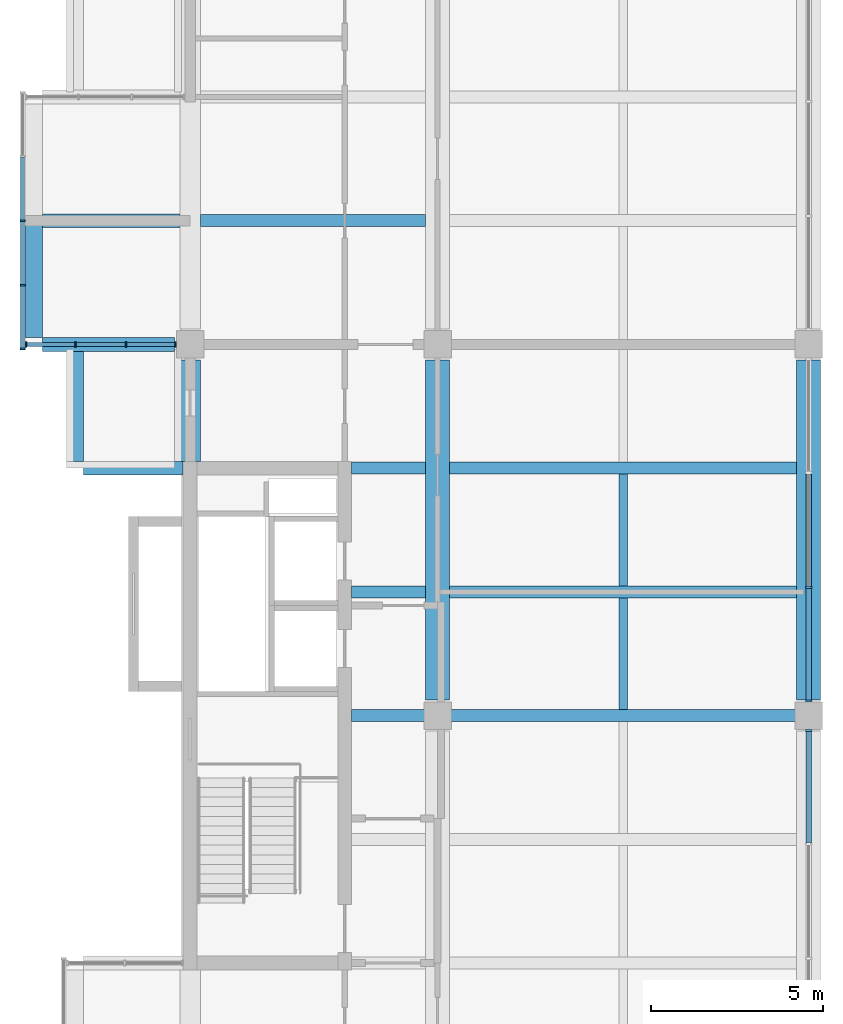
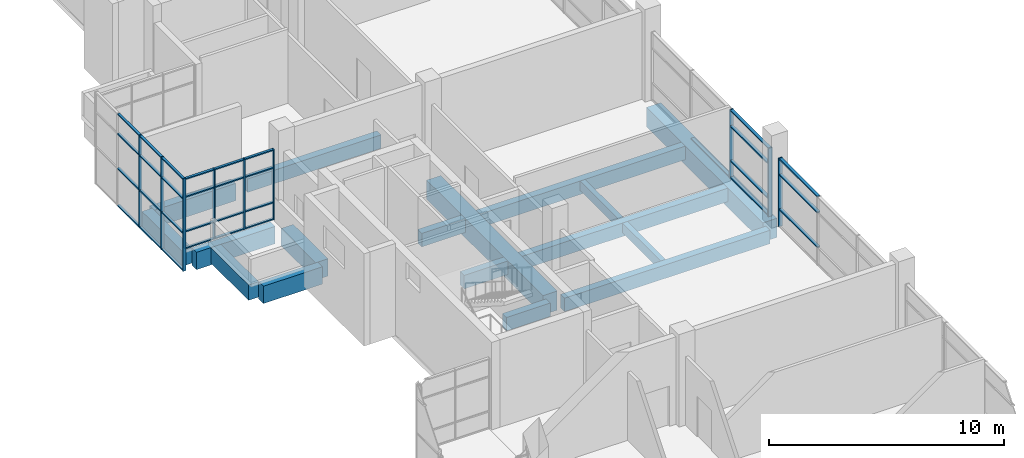
# One storey, part 5 of 14: 42 members, 17 beams, 4 elements without a shape of their own.
"""IFC4 building model written with IfcOpenShell, lengths in metres."""

from ifc_helpers import new_model, si_unit, direction, frame, origin, origin_2d, place, context, subcontext, project, spatial, rectangle, extrude, material, layer, layer_set, material_profile, profile_set, type_object, element, aggregate, save


model = new_model("IFC4")

# Units and contexts
model_context = context("Model", 3, precision=1e-05, world=origin(), true_north=direction((0.0, 1.0)))
body_context = subcontext(model_context, "Body", "Model", "MODEL_VIEW")
ifc_project = project(units=[si_unit("LENGTHUNIT", "METRE"), si_unit("AREAUNIT", "SQUARE_METRE"), si_unit("VOLUMEUNIT", "CUBIC_METRE"), si_unit("PLANEANGLEUNIT", "RADIAN"), si_unit("MASSUNIT", "GRAM", prefix="KILO")], contexts=[model_context])

# Site, building, storey
site_placement = place(None, origin())
site = spatial("IfcSite", under=ifc_project, at=site_placement, CompositionType="ELEMENT")
building_placement = place(site_placement, origin())
building = spatial("IfcBuilding", under=site, at=building_placement, Name="Basin Gate Institute", CompositionType="ELEMENT")
storey_placement = place(building_placement, frame((0.0, 0.0, 60.60009765625)))
storey = spatial("IfcBuildingStorey", under=building, at=storey_placement, Name="L12", CompositionType="ELEMENT", Elevation=60.60009765625)

# Beams
ifc_material_1 = material(Name="Concrete 40 MPa", Category="concrete")
ifc_material_profile_1 = material_profile(ifc_material_1, rectangle(XDim=0.35009765625, YDim=0.699951171875, at=origin_2d()), Name="Beam B1 350 x 700")
ifc_profile_set_1 = profile_set([ifc_material_profile_1], Name="Concrete 40 MPa")
beam_type_1 = type_object("IfcBeamType", Name="Beam B1 R120", PredefinedType="BEAM", material=ifc_profile_set_1)
beam_1_placement = place(storey_placement, frame((68.75, 67.5, -0.60009765625), z_axis=(1.0, 0.0, 0.0), x_axis=(0.0, 1.0, 0.0)))
element("IfcBeam", 1, at=beam_1_placement, inside=storey, type_object=beam_type_1, material=ifc_profile_set_1, Name="BEAM/L12/W/EW/10", PredefinedType="BEAM", context=body_context, shape_type="SweptSolid", body=[
    extrude(rectangle(XDim=0.35009765625, YDim=0.699951171875, at=origin_2d()), origin(), (0.0, 0.0, 1.0), 10.10009765625),
])
beam_2_placement = place(storey_placement, frame((65.89990234375, 67.5, -0.60009765625), z_axis=(1.0, 0.0, 0.0), x_axis=(0.0, 1.0, 0.0)))
element("IfcBeam", 2, at=beam_2_placement, inside=storey, type_object=beam_type_1, material=ifc_profile_set_1, Name="BEAM/L12/W/CORR/10", PredefinedType="BEAM", context=body_context, shape_type="SweptSolid", body=[
    extrude(rectangle(XDim=0.35009765625, YDim=0.699951171875, at=origin_2d()), origin(), (0.0, 0.0, 1.0), 2.150146484375),
])
beam_3_placement = place(storey_placement, frame((68.75, 71.10009765625, -0.60009765625), z_axis=(1.0, 0.0, 0.0), x_axis=(0.0, 1.0, 0.0)))
element("IfcBeam", 3, at=beam_3_placement, inside=storey, type_object=beam_type_1, material=ifc_profile_set_1, Name="BEAM/L12/W/EW/11", PredefinedType="BEAM", context=body_context, shape_type="SweptSolid", body=[
    extrude(rectangle(XDim=0.35009765625, YDim=0.699951171875, at=origin_2d()), origin(), (0.0, 0.0, 1.0), 10.10009765625),
])
beam_4_placement = place(storey_placement, frame((65.89990234375, 71.10009765625, -0.60009765625), z_axis=(1.0, 0.0, 0.0), x_axis=(0.0, 1.0, 0.0)))
element("IfcBeam", 4, at=beam_4_placement, inside=storey, type_object=beam_type_1, material=ifc_profile_set_1, Name="BEAM/L12/W/CORR/11", PredefinedType="BEAM", context=body_context, shape_type="SweptSolid", body=[
    extrude(rectangle(XDim=0.35009765625, YDim=0.699951171875, at=origin_2d()), origin(), (0.0, 0.0, 1.0), 2.150146484375),
])
beam_5_placement = place(storey_placement, frame((68.75, 74.699951171875, -0.60009765625), z_axis=(1.0, 0.0, 0.0), x_axis=(0.0, 1.0, 0.0)))
element("IfcBeam", 5, at=beam_5_placement, inside=storey, type_object=beam_type_1, material=ifc_profile_set_1, Name="BEAM/L12/W/EW/12", PredefinedType="BEAM", context=body_context, shape_type="SweptSolid", body=[
    extrude(rectangle(XDim=0.35009765625, YDim=0.699951171875, at=origin_2d()), origin(), (0.0, 0.0, 1.0), 10.10009765625),
])
beam_6_placement = place(storey_placement, frame((65.89990234375, 74.699951171875, -0.60009765625), z_axis=(1.0, 0.0, 0.0), x_axis=(0.0, 1.0, 0.0)))
element("IfcBeam", 6, at=beam_6_placement, inside=storey, type_object=beam_type_1, material=ifc_profile_set_1, Name="BEAM/L12/W/CORR/12", PredefinedType="BEAM", context=body_context, shape_type="SweptSolid", body=[
    extrude(rectangle(XDim=0.35009765625, YDim=0.699951171875, at=origin_2d()), origin(), (0.0, 0.0, 1.0), 2.150146484375),
])
beam_7_placement = place(storey_placement, frame((61.5, 81.89990234375, -0.60009765625), z_axis=(1.0, 0.0, 0.0), x_axis=(0.0, 1.0, 0.0)))
element("IfcBeam", 7, at=beam_7_placement, inside=storey, type_object=beam_type_1, material=ifc_profile_set_1, Name="BEAM/L12/W/OUT/14", PredefinedType="BEAM", context=body_context, shape_type="SweptSolid", body=[
    extrude(rectangle(XDim=0.35009765625, YDim=0.699951171875, at=origin_2d()), origin(), (0.0, 0.0, 1.0), 6.550048828125),
])
ifc_material_2 = material(Name="Concrete 50 MPa", Category="concrete")
ifc_material_profile_2 = material_profile(ifc_material_2, rectangle(XDim=0.39990234375, YDim=0.89990234375, at=origin_2d()), Name="Cantilever beam B3 400 x 900")
ifc_profile_set_2 = profile_set([ifc_material_profile_2], Name="Concrete 50 MPa")
beam_type_2 = type_object("IfcBeamType", Name="Cantilever beam B3 R120", PredefinedType="BEAM", material=ifc_profile_set_2)
beam_8_placement = place(storey_placement, frame((58.10009765625, 74.699951171875, -0.7001953125), z_axis=(1.0, 0.0, 0.0), x_axis=(0.0, 1.0, 0.0)))
element("IfcBeam", 8, at=beam_8_placement, inside=storey, type_object=beam_type_2, material=ifc_profile_set_2, Name="BEAM/L12/W/CANT/12", PredefinedType="BEAM", context=body_context, shape_type="SweptSolid", body=[
    extrude(rectangle(XDim=0.39990234375, YDim=0.89990234375, at=origin_2d()), origin(), (0.0, 0.0, 1.0), 2.89990234375),
])
beam_9_placement = place(storey_placement, frame((56.89990234375, 78.300048828125, -0.7001953125), z_axis=(1.0, 0.0, 0.0), x_axis=(0.0, 1.0, 0.0)))
element("IfcBeam", 9, at=beam_9_placement, inside=storey, type_object=beam_type_2, material=ifc_profile_set_2, Name="BEAM/L12/W/CANT/13", PredefinedType="BEAM", context=body_context, shape_type="SweptSolid", body=[
    extrude(rectangle(XDim=0.39990234375, YDim=0.89990234375, at=origin_2d()), origin(), (0.0, 0.0, 1.0), 3.85009765625),
])
beam_10_placement = place(storey_placement, frame((56.89990234375, 81.89990234375, -0.7001953125), z_axis=(1.0, 0.0, 0.0), x_axis=(0.0, 1.0, 0.0)))
element("IfcBeam", 10, at=beam_10_placement, inside=storey, type_object=beam_type_2, material=ifc_profile_set_2, Name="BEAM/L12/W/CANT/14", PredefinedType="BEAM", context=body_context, shape_type="SweptSolid", body=[
    extrude(rectangle(XDim=0.39990234375, YDim=0.89990234375, at=origin_2d()), origin(), (0.0, 0.0, 1.0), 4.0),
])
ifc_material_3 = material(Name="Concrete 50 MPa", Category="concrete")
ifc_material_profile_3 = material_profile(ifc_material_3, rectangle(XDim=0.60009765625, YDim=0.89990234375, at=origin_2d()), Name="Edge return beam EB3 600 x 900")
ifc_profile_set_3 = profile_set([ifc_material_profile_3], Name="Concrete 50 MPa")
beam_type_3 = type_object("IfcBeamType", Name="Edge return beam EB3 R120", PredefinedType="SPANDREL", material=ifc_profile_set_3)
beam_11_placement = place(storey_placement, frame((61.199951171875, 74.89990234375, -0.7001953125), z_axis=(0.0, 1.0, 0.0), x_axis=(-1.0, 0.0, 0.0)))
element("IfcBeam", 11, at=beam_11_placement, inside=storey, type_object=beam_type_3, material=ifc_profile_set_3, Name="BEAM/L12/W/EDGE/3", PredefinedType="SPANDREL", context=body_context, shape_type="SweptSolid", body=[
    extrude(rectangle(XDim=0.60009765625, YDim=0.89990234375, at=origin_2d()), origin(), (0.0, 0.0, 1.0), 2.9501953125),
])
ifc_material_4 = material(Name="Concrete 50 MPa", Category="concrete")
ifc_material_profile_4 = material_profile(ifc_material_4, rectangle(XDim=0.699951171875, YDim=1.0, at=origin_2d()), Name="Girder G1 700 x 1000")
ifc_profile_set_4 = profile_set([ifc_material_profile_4], Name="Concrete 50 MPa")
beam_type_4 = type_object("IfcBeamType", Name="Girder G1 R120", PredefinedType="BEAM", material=ifc_profile_set_4)
for number, where, z_axis, x_axis, name in (
    (12, (68.39990234375, 67.949951171875, -0.75), (0.0, 1.0, 0.0), (-1.0, 0.0, 0.0), "GIR/L12/W5/4"),
    (13, (79.199951171875, 67.949951171875, -0.75), (0.0, 1.0, 0.0), (-1.0, 0.0, 0.0), "GIR/L12/W6/4"),
):
    element("IfcBeam", number, at=place(storey_placement, frame(where, z_axis=z_axis, x_axis=x_axis)), inside=storey, type_object=beam_type_4, material=ifc_profile_set_4, Name=name, PredefinedType="BEAM", context=body_context, shape_type="SweptSolid", body=[
        extrude(rectangle(XDim=0.699951171875, YDim=1.0, at=origin_2d()), origin(), (0.0, 0.0, 1.0), 9.900146484375),
    ])

# Curtain wall, members
ifc_material_5 = material(Name="Aluminium-framed glazing", Category="aluminium")
ifc_layer_1 = layer(ifc_material_5, 0.14990234375)
ifc_layer_set_1 = layer_set([ifc_layer_1], Name="Capsule front curtain wall CW1")
curtain_wall_type_1 = type_object("IfcCurtainWallType", Name="Capsule front curtain wall CW1", PredefinedType="NOTDEFINED", material=ifc_layer_set_1)
curtain_wall_1_placement = place(storey_placement, origin())
curtain_wall_1 = element("IfcCurtainWall", 14, at=curtain_wall_1_placement, inside=storey, type_object=curtain_wall_type_1, material=ifc_layer_set_1, Name="Capsule front curtain wall W wing capsule end L12 line 13", PredefinedType="NOTDEFINED")
ifc_material_6 = material(Name="Aluminium", Category="aluminium")
ifc_material_profile_5 = material_profile(ifc_material_6, rectangle(XDim=0.14990234375, YDim=0.050048828125, at=origin_2d()), Name="Mullion MU1 150 x 50")
ifc_profile_set_5 = profile_set([ifc_material_profile_5], Name="Aluminium")
member_type_1 = type_object("IfcMemberType", Name="Mullion MU1", PredefinedType="MULLION", material=ifc_profile_set_5)
member_1_placement = place(storey_placement, frame((56.425048828125, 78.300048828125, 0.0), z_axis=(0.0, 0.0, 1.0), x_axis=(0.0, 1.0, 0.0)))
member_1 = element("IfcMember", 15, at=member_1_placement, type_object=member_type_1, material=ifc_profile_set_5, Name="CW1 mullion 1", PredefinedType="MULLION", context=body_context, shape_type="SweptSolid", body=[
    extrude(rectangle(XDim=0.14990234375, YDim=0.050048828125, at=origin_2d()), origin(), (0.0, 0.0, 1.0), 3.64990234375),
])
member_2_placement = place(storey_placement, frame((57.86669921875, 78.300048828125, 0.0), z_axis=(0.0, 0.0, 1.0), x_axis=(0.0, 1.0, 0.0)))
member_2 = element("IfcMember", 16, at=member_2_placement, type_object=member_type_1, material=ifc_profile_set_5, Name="CW1 mullion 2", PredefinedType="MULLION", context=body_context, shape_type="SweptSolid", body=[
    extrude(rectangle(XDim=0.14990234375, YDim=0.050048828125, at=origin_2d()), origin(), (0.0, 0.0, 1.0), 3.64990234375),
])
member_3_placement = place(storey_placement, frame((59.333251953125, 78.300048828125, 0.0), z_axis=(0.0, 0.0, 1.0), x_axis=(0.0, 1.0, 0.0)))
member_3 = element("IfcMember", 17, at=member_3_placement, type_object=member_type_1, material=ifc_profile_set_5, Name="CW1 mullion 3", PredefinedType="MULLION", context=body_context, shape_type="SweptSolid", body=[
    extrude(rectangle(XDim=0.14990234375, YDim=0.050048828125, at=origin_2d()), origin(), (0.0, 0.0, 1.0), 3.64990234375),
])
member_4_placement = place(storey_placement, frame((60.77490234375, 78.300048828125, 0.0), z_axis=(0.0, 0.0, 1.0), x_axis=(0.0, 1.0, 0.0)))
member_4 = element("IfcMember", 18, at=member_4_placement, type_object=member_type_1, material=ifc_profile_set_5, Name="CW1 mullion 4", PredefinedType="MULLION", context=body_context, shape_type="SweptSolid", body=[
    extrude(rectangle(XDim=0.14990234375, YDim=0.050048828125, at=origin_2d()), origin(), (0.0, 0.0, 1.0), 3.64990234375),
])

curtain_wall_2_placement = place(storey_placement, origin())
curtain_wall_2 = element("IfcCurtainWall", 19, at=curtain_wall_2_placement, inside=storey, type_object=curtain_wall_type_1, material=ifc_layer_set_1, Name="Capsule front curtain wall W wing capsule 2 L12 front 2", PredefinedType="NOTDEFINED")
member_5_placement = place(storey_placement, frame((56.324951171875, 78.175048828125, -1.050048828125), z_axis=(0.0, 0.0, 1.0), x_axis=(-1.0, 0.0, 0.0)))
member_5 = element("IfcMember", 20, at=member_5_placement, type_object=member_type_1, material=ifc_profile_set_5, Name="CW1 mullion 1", PredefinedType="MULLION", context=body_context, shape_type="SweptSolid", body=[
    extrude(rectangle(XDim=0.14990234375, YDim=0.050048828125, at=origin_2d()), origin(), (0.0, 0.0, 1.0), 4.800048828125),
])
member_6_placement = place(storey_placement, frame((56.324951171875, 80.02490234375, -1.050048828125), z_axis=(0.0, 0.0, 1.0), x_axis=(-1.0, 0.0, 0.0)))
member_6 = element("IfcMember", 21, at=member_6_placement, type_object=member_type_1, material=ifc_profile_set_5, Name="CW1 mullion 2", PredefinedType="MULLION", context=body_context, shape_type="SweptSolid", body=[
    extrude(rectangle(XDim=0.14990234375, YDim=0.050048828125, at=origin_2d()), origin(), (0.0, 0.0, 1.0), 4.800048828125),
])
member_7_placement = place(storey_placement, frame((56.324951171875, 81.89990234375, -1.050048828125), z_axis=(0.0, 0.0, 1.0), x_axis=(-1.0, 0.0, 0.0)))
member_7 = element("IfcMember", 22, at=member_7_placement, type_object=member_type_1, material=ifc_profile_set_5, Name="CW1 mullion 3", PredefinedType="MULLION", context=body_context, shape_type="SweptSolid", body=[
    extrude(rectangle(XDim=0.14990234375, YDim=0.050048828125, at=origin_2d()), origin(), (0.0, 0.0, 1.0), 4.800048828125),
])

# Curtain wall, member
ifc_material_7 = material(Name="Aluminium-framed glazing", Category="aluminium")
ifc_layer_2 = layer(ifc_material_7, 0.199951171875)
ifc_layer_set_2 = layer_set([ifc_layer_2], Name="Atrium curtain wall CW2")
curtain_wall_type_2 = type_object("IfcCurtainWallType", Name="Atrium curtain wall CW2", PredefinedType="NOTDEFINED", material=ifc_layer_set_2)
curtain_wall_3_placement = place(storey_placement, origin())
curtain_wall_3 = element("IfcCurtainWall", 23, at=curtain_wall_3_placement, inside=storey, type_object=curtain_wall_type_2, material=ifc_layer_set_2, Name="Atrium curtain wall W wing atrium bay 3 L12", PredefinedType="NOTDEFINED")
ifc_material_8 = material(Name="Aluminium", Category="aluminium")
ifc_material_profile_6 = material_profile(ifc_material_8, rectangle(XDim=0.199951171875, YDim=0.06005859375, at=origin_2d()), Name="Mullion MU2 200 x 60")
ifc_profile_set_6 = profile_set([ifc_material_profile_6], Name="Aluminium")
member_type_2 = type_object("IfcMemberType", Name="Mullion MU2", PredefinedType="MULLION", material=ifc_profile_set_6)
member_8_placement = place(storey_placement, frame((79.199951171875, 67.070068359375, 0.0), z_axis=(0.0, 0.0, 1.0), x_axis=(-1.0, 0.0, 0.0)))
member_8 = element("IfcMember", 24, at=member_8_placement, type_object=member_type_2, material=ifc_profile_set_6, Name="CW2 mullion 4", PredefinedType="MULLION", context=body_context, shape_type="SweptSolid", body=[
    extrude(rectangle(XDim=0.199951171875, YDim=0.06005859375, at=origin_2d()), origin(), (0.0, 0.0, 1.0), 3.5498046875),
])

# Curtain wall, members
curtain_wall_4_placement = place(storey_placement, origin())
curtain_wall_4 = element("IfcCurtainWall", 25, at=curtain_wall_4_placement, inside=storey, type_object=curtain_wall_type_2, material=ifc_layer_set_2, Name="Atrium curtain wall W wing atrium bay 4 L12", PredefinedType="NOTDEFINED")
member_9_placement = place(storey_placement, frame((79.199951171875, 67.929931640625, 0.0), z_axis=(0.0, 0.0, 1.0), x_axis=(-1.0, 0.0, 0.0)))
member_9 = element("IfcMember", 26, at=member_9_placement, type_object=member_type_2, material=ifc_profile_set_6, Name="CW2 mullion 1", PredefinedType="MULLION", context=body_context, shape_type="SweptSolid", body=[
    extrude(rectangle(XDim=0.199951171875, YDim=0.06005859375, at=origin_2d()), origin(), (0.0, 0.0, 1.0), 3.5498046875),
])
member_10_placement = place(storey_placement, frame((79.199951171875, 71.2333984375, 0.0), z_axis=(0.0, 0.0, 1.0), x_axis=(-1.0, 0.0, 0.0)))
member_10 = element("IfcMember", 27, at=member_10_placement, type_object=member_type_2, material=ifc_profile_set_6, Name="CW2 mullion 2", PredefinedType="MULLION", context=body_context, shape_type="SweptSolid", body=[
    extrude(rectangle(XDim=0.199951171875, YDim=0.06005859375, at=origin_2d()), origin(), (0.0, 0.0, 1.0), 3.5498046875),
])

# Beams
ifc_material_9 = material(Name="Concrete 40 MPa", Category="concrete")
ifc_material_profile_7 = material_profile(ifc_material_9, rectangle(XDim=0.25, YDim=0.5, at=origin_2d()), Name="Rib R1 250 x 500")
ifc_profile_set_7 = profile_set([ifc_material_profile_7], Name="Concrete 40 MPa")
beam_type_5 = type_object("IfcBeamType", Name="Rib R1 R120", PredefinedType="JOIST", material=ifc_profile_set_7)
for number, where, z_axis, x_axis, name in (
    (28, (73.800048828125, 67.675048828125, -0.5), (0.0, 1.0, 0.0), (-1.0, 0.0, 0.0), "BEAM/L12/W/RIB/10"),
    (29, (73.800048828125, 71.27490234375, -0.5), (0.0, 1.0, 0.0), (-1.0, 0.0, 0.0), "BEAM/L12/W/RIB/11"),
):
    element("IfcBeam", number, at=place(storey_placement, frame(where, z_axis=z_axis, x_axis=x_axis)), inside=storey, type_object=beam_type_5, material=ifc_profile_set_7, Name=name, PredefinedType="JOIST", context=body_context, shape_type="SweptSolid", body=[
        extrude(rectangle(XDim=0.25, YDim=0.5, at=origin_2d()), origin(), (0.0, 0.0, 1.0), 3.25),
    ])
ifc_material_10 = material(Name="Concrete 50 MPa", Category="concrete")
ifc_material_profile_8 = material_profile(ifc_material_10, rectangle(XDim=0.5, YDim=0.800048828125, at=origin_2d()), Name="Tip beam TB1 500 x 800")
ifc_profile_set_8 = profile_set([ifc_material_profile_8], Name="Concrete 50 MPa")
beam_type_6 = type_object("IfcBeamType", Name="Tip beam TB1 R120", PredefinedType="SPANDREL", material=ifc_profile_set_8)
beam_12_placement = place(storey_placement, frame((57.85009765625, 74.89990234375, -0.650146484375), z_axis=(0.0, 1.0, 0.0), x_axis=(-1.0, 0.0, 0.0)))
element("IfcBeam", 30, at=beam_12_placement, inside=storey, type_object=beam_type_6, material=ifc_profile_set_8, Name="BEAM/L12/W/TIP/5", PredefinedType="SPANDREL", context=body_context, shape_type="SweptSolid", body=[
    extrude(rectangle(XDim=0.5, YDim=0.800048828125, at=origin_2d()), origin(), (0.0, 0.0, 1.0), 3.2001953125),
])
beam_13_placement = place(storey_placement, frame((56.64990234375, 78.5, -0.650146484375), z_axis=(0.0, 1.0, 0.0), x_axis=(-1.0, 0.0, 0.0)))
element("IfcBeam", 31, at=beam_13_placement, inside=storey, type_object=beam_type_6, material=ifc_profile_set_8, Name="BEAM/L12/W/TIP/6", PredefinedType="SPANDREL", context=body_context, shape_type="SweptSolid", body=[
    extrude(rectangle(XDim=0.5, YDim=0.800048828125, at=origin_2d()), origin(), (0.0, 0.0, 1.0), 3.39990234375),
])

# Member
ifc_material_11 = material(Name="Aluminium", Category="aluminium")
ifc_material_profile_9 = material_profile(ifc_material_11, rectangle(XDim=0.1201171875, YDim=0.06005859375, at=origin_2d()), Name="Transom TR1 120 x 60")
ifc_profile_set_9 = profile_set([ifc_material_profile_9], Name="Aluminium")
member_type_3 = type_object("IfcMemberType", Name="Transom TR1", PredefinedType="USERDEFINED", material=ifc_profile_set_9)
member_11_placement = place(storey_placement, frame((56.449951171875, 78.300048828125, 0.02978515625), z_axis=(1.0, 0.0, 0.0), x_axis=(0.0, 1.0, 0.0)))
member_11 = element("IfcMember", 32, at=member_11_placement, type_object=member_type_3, material=ifc_profile_set_9, Name="CW1 transom 1.1", ObjectType="TRANSOM", PredefinedType="USERDEFINED", context=body_context, shape_type="SweptSolid", body=[
    extrude(rectangle(XDim=0.1201171875, YDim=0.06005859375, at=origin_2d()), origin(), (0.0, 0.0, 1.0), 1.3916015625),
])

member_12_placement = place(storey_placement, frame((56.449951171875, 78.300048828125, 0.89990234375), z_axis=(1.0, 0.0, 0.0), x_axis=(0.0, 1.0, 0.0)))
member_12 = element("IfcMember", 33, at=member_12_placement, type_object=member_type_3, material=ifc_profile_set_9, Name="CW1 transom 1.2", ObjectType="TRANSOM", PredefinedType="USERDEFINED", context=body_context, shape_type="SweptSolid", body=[
    extrude(rectangle(XDim=0.1201171875, YDim=0.06005859375, at=origin_2d()), origin(), (0.0, 0.0, 1.0), 1.3916015625),
])

member_13_placement = place(storey_placement, frame((56.449951171875, 78.300048828125, 2.699951171875), z_axis=(1.0, 0.0, 0.0), x_axis=(0.0, 1.0, 0.0)))
member_13 = element("IfcMember", 34, at=member_13_placement, type_object=member_type_3, material=ifc_profile_set_9, Name="CW1 transom 1.3", ObjectType="TRANSOM", PredefinedType="USERDEFINED", context=body_context, shape_type="SweptSolid", body=[
    extrude(rectangle(XDim=0.1201171875, YDim=0.06005859375, at=origin_2d()), origin(), (0.0, 0.0, 1.0), 1.3916015625),
])

member_14_placement = place(storey_placement, frame((56.449951171875, 78.300048828125, 3.619873046875), z_axis=(1.0, 0.0, 0.0), x_axis=(0.0, 1.0, 0.0)))
member_14 = element("IfcMember", 35, at=member_14_placement, type_object=member_type_3, material=ifc_profile_set_9, Name="CW1 transom 1.4", ObjectType="TRANSOM", PredefinedType="USERDEFINED", context=body_context, shape_type="SweptSolid", body=[
    extrude(rectangle(XDim=0.1201171875, YDim=0.06005859375, at=origin_2d()), origin(), (0.0, 0.0, 1.0), 1.3916015625),
])

member_15_placement = place(storey_placement, frame((57.8916015625, 78.300048828125, 0.02978515625), z_axis=(1.0, 0.0, 0.0), x_axis=(0.0, 1.0, 0.0)))
member_15 = element("IfcMember", 36, at=member_15_placement, type_object=member_type_3, material=ifc_profile_set_9, Name="CW1 transom 2.1", ObjectType="TRANSOM", PredefinedType="USERDEFINED", context=body_context, shape_type="SweptSolid", body=[
    extrude(rectangle(XDim=0.1201171875, YDim=0.06005859375, at=origin_2d()), origin(), (0.0, 0.0, 1.0), 1.416748046875),
])

member_16_placement = place(storey_placement, frame((57.8916015625, 78.300048828125, 0.89990234375), z_axis=(1.0, 0.0, 0.0), x_axis=(0.0, 1.0, 0.0)))
member_16 = element("IfcMember", 37, at=member_16_placement, type_object=member_type_3, material=ifc_profile_set_9, Name="CW1 transom 2.2", ObjectType="TRANSOM", PredefinedType="USERDEFINED", context=body_context, shape_type="SweptSolid", body=[
    extrude(rectangle(XDim=0.1201171875, YDim=0.06005859375, at=origin_2d()), origin(), (0.0, 0.0, 1.0), 1.416748046875),
])

member_17_placement = place(storey_placement, frame((57.8916015625, 78.300048828125, 2.699951171875), z_axis=(1.0, 0.0, 0.0), x_axis=(0.0, 1.0, 0.0)))
member_17 = element("IfcMember", 38, at=member_17_placement, type_object=member_type_3, material=ifc_profile_set_9, Name="CW1 transom 2.3", ObjectType="TRANSOM", PredefinedType="USERDEFINED", context=body_context, shape_type="SweptSolid", body=[
    extrude(rectangle(XDim=0.1201171875, YDim=0.06005859375, at=origin_2d()), origin(), (0.0, 0.0, 1.0), 1.416748046875),
])

member_18_placement = place(storey_placement, frame((57.8916015625, 78.300048828125, 3.619873046875), z_axis=(1.0, 0.0, 0.0), x_axis=(0.0, 1.0, 0.0)))
member_18 = element("IfcMember", 39, at=member_18_placement, type_object=member_type_3, material=ifc_profile_set_9, Name="CW1 transom 2.4", ObjectType="TRANSOM", PredefinedType="USERDEFINED", context=body_context, shape_type="SweptSolid", body=[
    extrude(rectangle(XDim=0.1201171875, YDim=0.06005859375, at=origin_2d()), origin(), (0.0, 0.0, 1.0), 1.416748046875),
])

member_19_placement = place(storey_placement, frame((59.3583984375, 78.300048828125, 0.02978515625), z_axis=(1.0, 0.0, 0.0), x_axis=(0.0, 1.0, 0.0)))
member_19 = element("IfcMember", 40, at=member_19_placement, type_object=member_type_3, material=ifc_profile_set_9, Name="CW1 transom 3.1", ObjectType="TRANSOM", PredefinedType="USERDEFINED", context=body_context, shape_type="SweptSolid", body=[
    extrude(rectangle(XDim=0.1201171875, YDim=0.06005859375, at=origin_2d()), origin(), (0.0, 0.0, 1.0), 1.3916015625),
])

member_20_placement = place(storey_placement, frame((59.3583984375, 78.300048828125, 0.89990234375), z_axis=(1.0, 0.0, 0.0), x_axis=(0.0, 1.0, 0.0)))
member_20 = element("IfcMember", 41, at=member_20_placement, type_object=member_type_3, material=ifc_profile_set_9, Name="CW1 transom 3.2", ObjectType="TRANSOM", PredefinedType="USERDEFINED", context=body_context, shape_type="SweptSolid", body=[
    extrude(rectangle(XDim=0.1201171875, YDim=0.06005859375, at=origin_2d()), origin(), (0.0, 0.0, 1.0), 1.3916015625),
])

member_21_placement = place(storey_placement, frame((59.3583984375, 78.300048828125, 2.699951171875), z_axis=(1.0, 0.0, 0.0), x_axis=(0.0, 1.0, 0.0)))
member_21 = element("IfcMember", 42, at=member_21_placement, type_object=member_type_3, material=ifc_profile_set_9, Name="CW1 transom 3.3", ObjectType="TRANSOM", PredefinedType="USERDEFINED", context=body_context, shape_type="SweptSolid", body=[
    extrude(rectangle(XDim=0.1201171875, YDim=0.06005859375, at=origin_2d()), origin(), (0.0, 0.0, 1.0), 1.3916015625),
])

member_22_placement = place(storey_placement, frame((59.3583984375, 78.300048828125, 3.619873046875), z_axis=(1.0, 0.0, 0.0), x_axis=(0.0, 1.0, 0.0)))
member_22 = element("IfcMember", 43, at=member_22_placement, type_object=member_type_3, material=ifc_profile_set_9, Name="CW1 transom 3.4", ObjectType="TRANSOM", PredefinedType="USERDEFINED", context=body_context, shape_type="SweptSolid", body=[
    extrude(rectangle(XDim=0.1201171875, YDim=0.06005859375, at=origin_2d()), origin(), (0.0, 0.0, 1.0), 1.3916015625),
])

aggregate(curtain_wall_1, [member_1, member_2, member_3, member_4, member_11, member_12, member_13, member_14, member_15, member_16, member_17, member_18, member_19, member_20, member_21, member_22])

member_23_placement = place(storey_placement, frame((56.324951171875, 78.199951171875, -1.02001953125), z_axis=(0.0, 1.0, 0.0), x_axis=(-1.0, 0.0, 0.0)))
member_23 = element("IfcMember", 44, at=member_23_placement, type_object=member_type_3, material=ifc_profile_set_9, Name="CW1 transom 1.1", ObjectType="TRANSOM", PredefinedType="USERDEFINED", context=body_context, shape_type="SweptSolid", body=[
    extrude(rectangle(XDim=0.1201171875, YDim=0.06005859375, at=origin_2d()), origin(), (0.0, 0.0, 1.0), 1.800048828125),
])

member_24_placement = place(storey_placement, frame((56.324951171875, 78.199951171875, 0.89990234375), z_axis=(0.0, 1.0, 0.0), x_axis=(-1.0, 0.0, 0.0)))
member_24 = element("IfcMember", 45, at=member_24_placement, type_object=member_type_3, material=ifc_profile_set_9, Name="CW1 transom 1.2", ObjectType="TRANSOM", PredefinedType="USERDEFINED", context=body_context, shape_type="SweptSolid", body=[
    extrude(rectangle(XDim=0.1201171875, YDim=0.06005859375, at=origin_2d()), origin(), (0.0, 0.0, 1.0), 1.800048828125),
])

member_25_placement = place(storey_placement, frame((56.324951171875, 78.199951171875, 2.699951171875), z_axis=(0.0, 1.0, 0.0), x_axis=(-1.0, 0.0, 0.0)))
member_25 = element("IfcMember", 46, at=member_25_placement, type_object=member_type_3, material=ifc_profile_set_9, Name="CW1 transom 1.3", ObjectType="TRANSOM", PredefinedType="USERDEFINED", context=body_context, shape_type="SweptSolid", body=[
    extrude(rectangle(XDim=0.1201171875, YDim=0.06005859375, at=origin_2d()), origin(), (0.0, 0.0, 1.0), 1.800048828125),
])

member_26_placement = place(storey_placement, frame((56.324951171875, 78.199951171875, 3.719970703125), z_axis=(0.0, 1.0, 0.0), x_axis=(-1.0, 0.0, 0.0)))
member_26 = element("IfcMember", 47, at=member_26_placement, type_object=member_type_3, material=ifc_profile_set_9, Name="CW1 transom 1.4", ObjectType="TRANSOM", PredefinedType="USERDEFINED", context=body_context, shape_type="SweptSolid", body=[
    extrude(rectangle(XDim=0.1201171875, YDim=0.06005859375, at=origin_2d()), origin(), (0.0, 0.0, 1.0), 1.800048828125),
])

member_27_placement = place(storey_placement, frame((56.324951171875, 80.050048828125, -1.02001953125), z_axis=(0.0, 1.0, 0.0), x_axis=(-1.0, 0.0, 0.0)))
member_27 = element("IfcMember", 48, at=member_27_placement, type_object=member_type_3, material=ifc_profile_set_9, Name="CW1 transom 2.1", ObjectType="TRANSOM", PredefinedType="USERDEFINED", context=body_context, shape_type="SweptSolid", body=[
    extrude(rectangle(XDim=0.1201171875, YDim=0.06005859375, at=origin_2d()), origin(), (0.0, 0.0, 1.0), 1.824951171875),
])

member_28_placement = place(storey_placement, frame((56.324951171875, 80.050048828125, 0.89990234375), z_axis=(0.0, 1.0, 0.0), x_axis=(-1.0, 0.0, 0.0)))
member_28 = element("IfcMember", 49, at=member_28_placement, type_object=member_type_3, material=ifc_profile_set_9, Name="CW1 transom 2.2", ObjectType="TRANSOM", PredefinedType="USERDEFINED", context=body_context, shape_type="SweptSolid", body=[
    extrude(rectangle(XDim=0.1201171875, YDim=0.06005859375, at=origin_2d()), origin(), (0.0, 0.0, 1.0), 1.824951171875),
])

member_29_placement = place(storey_placement, frame((56.324951171875, 80.050048828125, 2.699951171875), z_axis=(0.0, 1.0, 0.0), x_axis=(-1.0, 0.0, 0.0)))
member_29 = element("IfcMember", 50, at=member_29_placement, type_object=member_type_3, material=ifc_profile_set_9, Name="CW1 transom 2.3", ObjectType="TRANSOM", PredefinedType="USERDEFINED", context=body_context, shape_type="SweptSolid", body=[
    extrude(rectangle(XDim=0.1201171875, YDim=0.06005859375, at=origin_2d()), origin(), (0.0, 0.0, 1.0), 1.824951171875),
])

member_30_placement = place(storey_placement, frame((56.324951171875, 80.050048828125, 3.719970703125), z_axis=(0.0, 1.0, 0.0), x_axis=(-1.0, 0.0, 0.0)))
member_30 = element("IfcMember", 51, at=member_30_placement, type_object=member_type_3, material=ifc_profile_set_9, Name="CW1 transom 2.4", ObjectType="TRANSOM", PredefinedType="USERDEFINED", context=body_context, shape_type="SweptSolid", body=[
    extrude(rectangle(XDim=0.1201171875, YDim=0.06005859375, at=origin_2d()), origin(), (0.0, 0.0, 1.0), 1.824951171875),
])

member_31_placement = place(storey_placement, frame((56.324951171875, 81.925048828125, -1.02001953125), z_axis=(0.0, 1.0, 0.0), x_axis=(-1.0, 0.0, 0.0)))
member_31 = element("IfcMember", 52, at=member_31_placement, type_object=member_type_3, material=ifc_profile_set_9, Name="CW1 transom 3.1", ObjectType="TRANSOM", PredefinedType="USERDEFINED", context=body_context, shape_type="SweptSolid", body=[
    extrude(rectangle(XDim=0.1201171875, YDim=0.06005859375, at=origin_2d()), origin(), (0.0, 0.0, 1.0), 1.824951171875),
])

member_32_placement = place(storey_placement, frame((56.324951171875, 81.925048828125, 0.89990234375), z_axis=(0.0, 1.0, 0.0), x_axis=(-1.0, 0.0, 0.0)))
member_32 = element("IfcMember", 53, at=member_32_placement, type_object=member_type_3, material=ifc_profile_set_9, Name="CW1 transom 3.2", ObjectType="TRANSOM", PredefinedType="USERDEFINED", context=body_context, shape_type="SweptSolid", body=[
    extrude(rectangle(XDim=0.1201171875, YDim=0.06005859375, at=origin_2d()), origin(), (0.0, 0.0, 1.0), 1.824951171875),
])

member_33_placement = place(storey_placement, frame((56.324951171875, 81.925048828125, 2.699951171875), z_axis=(0.0, 1.0, 0.0), x_axis=(-1.0, 0.0, 0.0)))
member_33 = element("IfcMember", 54, at=member_33_placement, type_object=member_type_3, material=ifc_profile_set_9, Name="CW1 transom 3.3", ObjectType="TRANSOM", PredefinedType="USERDEFINED", context=body_context, shape_type="SweptSolid", body=[
    extrude(rectangle(XDim=0.1201171875, YDim=0.06005859375, at=origin_2d()), origin(), (0.0, 0.0, 1.0), 1.824951171875),
])

member_34_placement = place(storey_placement, frame((56.324951171875, 81.925048828125, 3.719970703125), z_axis=(0.0, 1.0, 0.0), x_axis=(-1.0, 0.0, 0.0)))
member_34 = element("IfcMember", 55, at=member_34_placement, type_object=member_type_3, material=ifc_profile_set_9, Name="CW1 transom 3.4", ObjectType="TRANSOM", PredefinedType="USERDEFINED", context=body_context, shape_type="SweptSolid", body=[
    extrude(rectangle(XDim=0.1201171875, YDim=0.06005859375, at=origin_2d()), origin(), (0.0, 0.0, 1.0), 1.824951171875),
])

aggregate(curtain_wall_2, [member_5, member_6, member_7, member_23, member_24, member_25, member_26, member_27, member_28, member_29, member_30, member_31, member_32, member_33, member_34])

ifc_material_12 = material(Name="Aluminium", Category="aluminium")
ifc_material_profile_10 = material_profile(ifc_material_12, rectangle(XDim=0.14990234375, YDim=0.06005859375, at=origin_2d()), Name="Transom TR2 150 x 60")
ifc_profile_set_10 = profile_set([ifc_material_profile_10], Name="Aluminium")
member_type_4 = type_object("IfcMemberType", Name="Transom TR2", PredefinedType="USERDEFINED", material=ifc_profile_set_10)
member_35_placement = place(storey_placement, frame((79.199951171875, 63.796630859375, 0.89990234375), z_axis=(0.0, 1.0, 0.0), x_axis=(-1.0, 0.0, 0.0)))
member_35 = element("IfcMember", 56, at=member_35_placement, type_object=member_type_4, material=ifc_profile_set_10, Name="CW2 transom 3.2", ObjectType="TRANSOM", PredefinedType="USERDEFINED", context=body_context, shape_type="SweptSolid", body=[
    extrude(rectangle(XDim=0.14990234375, YDim=0.06005859375, at=origin_2d()), origin(), (0.0, 0.0, 1.0), 3.243408203125),
])

member_36_placement = place(storey_placement, frame((79.199951171875, 63.796630859375, 2.699951171875), z_axis=(0.0, 1.0, 0.0), x_axis=(-1.0, 0.0, 0.0)))
member_36 = element("IfcMember", 57, at=member_36_placement, type_object=member_type_4, material=ifc_profile_set_10, Name="CW2 transom 3.3", ObjectType="TRANSOM", PredefinedType="USERDEFINED", context=body_context, shape_type="SweptSolid", body=[
    extrude(rectangle(XDim=0.14990234375, YDim=0.06005859375, at=origin_2d()), origin(), (0.0, 0.0, 1.0), 3.243408203125),
])

member_37_placement = place(storey_placement, frame((79.199951171875, 63.796630859375, 3.52001953125), z_axis=(0.0, 1.0, 0.0), x_axis=(-1.0, 0.0, 0.0)))
member_37 = element("IfcMember", 58, at=member_37_placement, type_object=member_type_4, material=ifc_profile_set_10, Name="CW2 transom 3.4", ObjectType="TRANSOM", PredefinedType="USERDEFINED", context=body_context, shape_type="SweptSolid", body=[
    extrude(rectangle(XDim=0.14990234375, YDim=0.06005859375, at=origin_2d()), origin(), (0.0, 0.0, 1.0), 3.243408203125),
])

aggregate(curtain_wall_3, [member_8, member_35, member_36, member_37])

member_38_placement = place(storey_placement, frame((79.199951171875, 67.9599609375, 0.02978515625), z_axis=(0.0, 1.0, 0.0), x_axis=(-1.0, 0.0, 0.0)))
member_38 = element("IfcMember", 59, at=member_38_placement, type_object=member_type_4, material=ifc_profile_set_10, Name="CW2 transom 1.1", ObjectType="TRANSOM", PredefinedType="USERDEFINED", context=body_context, shape_type="SweptSolid", body=[
    extrude(rectangle(XDim=0.14990234375, YDim=0.06005859375, at=origin_2d()), origin(), (0.0, 0.0, 1.0), 3.243408203125),
])

member_39_placement = place(storey_placement, frame((79.199951171875, 67.9599609375, 0.89990234375), z_axis=(0.0, 1.0, 0.0), x_axis=(-1.0, 0.0, 0.0)))
member_39 = element("IfcMember", 60, at=member_39_placement, type_object=member_type_4, material=ifc_profile_set_10, Name="CW2 transom 1.2", ObjectType="TRANSOM", PredefinedType="USERDEFINED", context=body_context, shape_type="SweptSolid", body=[
    extrude(rectangle(XDim=0.14990234375, YDim=0.06005859375, at=origin_2d()), origin(), (0.0, 0.0, 1.0), 3.243408203125),
])

member_40_placement = place(storey_placement, frame((79.199951171875, 67.9599609375, 2.699951171875), z_axis=(0.0, 1.0, 0.0), x_axis=(-1.0, 0.0, 0.0)))
member_40 = element("IfcMember", 61, at=member_40_placement, type_object=member_type_4, material=ifc_profile_set_10, Name="CW2 transom 1.3", ObjectType="TRANSOM", PredefinedType="USERDEFINED", context=body_context, shape_type="SweptSolid", body=[
    extrude(rectangle(XDim=0.14990234375, YDim=0.06005859375, at=origin_2d()), origin(), (0.0, 0.0, 1.0), 3.243408203125),
])

member_41_placement = place(storey_placement, frame((79.199951171875, 67.9599609375, 3.52001953125), z_axis=(0.0, 1.0, 0.0), x_axis=(-1.0, 0.0, 0.0)))
member_41 = element("IfcMember", 62, at=member_41_placement, type_object=member_type_4, material=ifc_profile_set_10, Name="CW2 transom 1.4", ObjectType="TRANSOM", PredefinedType="USERDEFINED", context=body_context, shape_type="SweptSolid", body=[
    extrude(rectangle(XDim=0.14990234375, YDim=0.06005859375, at=origin_2d()), origin(), (0.0, 0.0, 1.0), 3.243408203125),
])

member_42_placement = place(storey_placement, frame((79.199951171875, 71.263427734375, 0.02978515625), z_axis=(0.0, 1.0, 0.0), x_axis=(-1.0, 0.0, 0.0)))
member_42 = element("IfcMember", 63, at=member_42_placement, type_object=member_type_4, material=ifc_profile_set_10, Name="CW2 transom 2.1", ObjectType="TRANSOM", PredefinedType="USERDEFINED", context=body_context, shape_type="SweptSolid", body=[
    extrude(rectangle(XDim=0.14990234375, YDim=0.06005859375, at=origin_2d()), origin(), (0.0, 0.0, 1.0), 3.273193359375),
])

aggregate(curtain_wall_4, [member_9, member_10, member_38, member_39, member_40, member_41, member_42])

save(model, "model.ifc")
